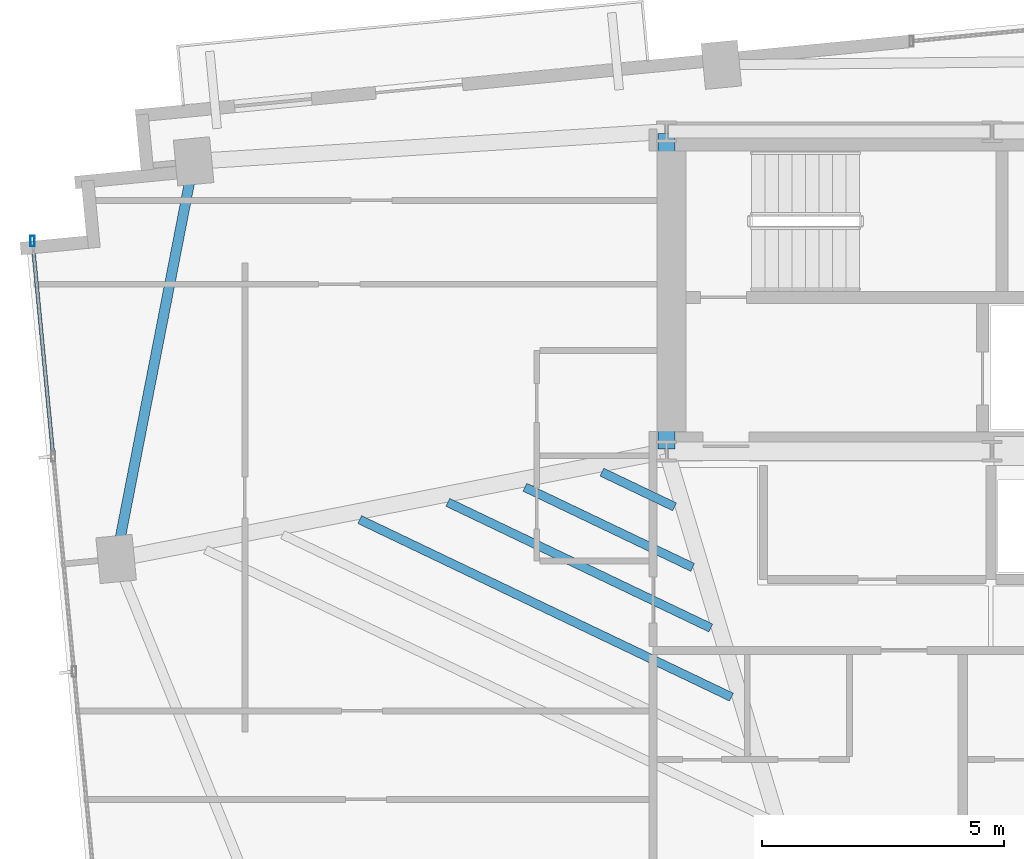
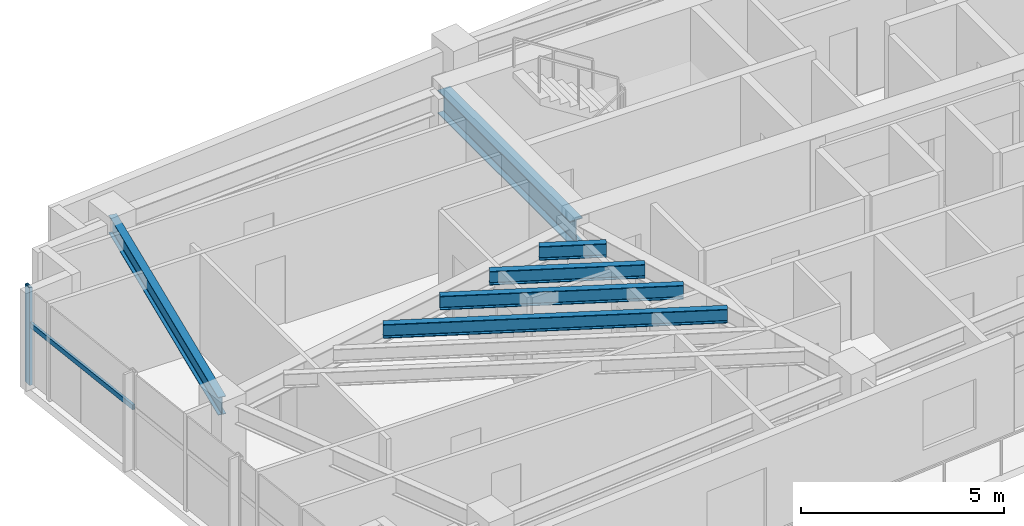
# One storey, part 3 of 18: 6 beams, 2 members, 1 element without a shape of its own.
"""IFC4 building model written with IfcOpenShell, lengths in metres."""

import ifcopenshell
import ifcopenshell.guid

model = None  # the IFC model being written
_history = None  # IfcOwnerHistory: only IFC2X3 demands one
_inside = {}  # id of a spatial element -> (the spatial element, [elements in it])
_under = {}  # id of a project, library or spatial element -> (it, [spatial elements below it])
_declared = {}  # id of a project -> (the project, [libraries it declares])
_typed = {}  # id of a type object -> (the type object, [elements of that type])
_made_of = {}  # id of a material, layer set ... -> (it, [elements and type objects made of it])


def new_model(schema):
    """Start an empty IFC model of exactly this schema.

    Asked for "IFC4X3", IfcOpenShell would pick the latest addendum, in which some entities
    have other attributes; the version numbers below select the first issue.
    IFC2X3 requires an IfcOwnerHistory on every rooted entity: one is made here for all.
    """
    global model, _history
    if schema == "IFC4X3":
        model = ifcopenshell.file(schema_version=(4, 3, 0, 0))
    else:
        model = ifcopenshell.file(schema=schema)
    _inside.clear()
    _under.clear()
    _declared.clear()
    _typed.clear()
    _made_of.clear()
    _history = None
    if model.schema == "IFC2X3":
        org = make("IfcOrganization", Name="unknown")
        user = make(
            "IfcPersonAndOrganization",
            ThePerson=make("IfcPerson", FamilyName="unknown"),
            TheOrganization=org,
        )
        app = make(
            "IfcApplication",
            ApplicationDeveloper=org,
            Version="unknown",
            ApplicationFullName="unknown",
            ApplicationIdentifier="unknown",
        )
        _history = make(
            "IfcOwnerHistory",
            OwningUser=user,
            OwningApplication=app,
            ChangeAction="ADDED",
            CreationDate=0,
        )
    return model


def make(cls, **values):
    """One entity of the class cls with the attributes given. An attribute that is None is left unset."""
    return model.create_entity(
        cls, **{name: value for name, value in values.items() if value is not None}
    )


def rooted(cls, **values):
    """An entity with a GlobalId (a new one), such as an element, a storey or a relation."""
    return make(cls, GlobalId=ifcopenshell.guid.new(), OwnerHistory=_history, **values)


def si_unit(unit_type, name, prefix=None):
    """IfcSIUnit, for example si_unit("LENGTHUNIT", "METRE", prefix="MILLI")."""
    return make("IfcSIUnit", UnitType=unit_type, Prefix=prefix, Name=name)


def assignment(units):
    """IfcUnitAssignment: the units of a project."""
    return None if units is None else make("IfcUnitAssignment", Units=units)


def point(xyz):
    """IfcCartesianPoint."""
    return None if xyz is None else make("IfcCartesianPoint", Coordinates=xyz)


def direction(xyz):
    """IfcDirection."""
    return None if xyz is None else make("IfcDirection", DirectionRatios=xyz)


def frame(location, z_axis=None, x_axis=None):
    """IfcAxis2Placement3D, a coordinate frame: its origin and axes. An axis left out is left unset."""
    return make(
        "IfcAxis2Placement3D",
        Location=point(location),
        Axis=direction(z_axis),
        RefDirection=direction(x_axis),
    )


def frame_2d(location, x_axis=None):
    """IfcAxis2Placement2D, a coordinate frame in the plane: its origin and x axis."""
    return make(
        "IfcAxis2Placement2D", Location=point(location), RefDirection=direction(x_axis)
    )


def origin():
    """The frame at (0, 0, 0) with its axes left unset."""
    return frame((0.0, 0.0, 0.0))


def origin_2d():
    """The frame at (0, 0) in the plane with its x axis left unset."""
    return frame_2d((0.0, 0.0))


def place(relative_to, where):
    """IfcLocalPlacement: puts the frame where relative to a parent placement (None: the world)."""
    return make(
        "IfcLocalPlacement", PlacementRelTo=relative_to, RelativePlacement=where
    )


def context(
    kind, dimensions, precision=None, world=None, true_north=None, identifier=None
):
    """IfcGeometricRepresentationContext, for example the 3D "Model" context."""
    return make(
        "IfcGeometricRepresentationContext",
        ContextIdentifier=identifier,
        ContextType=kind,
        CoordinateSpaceDimension=dimensions,
        Precision=precision,
        WorldCoordinateSystem=world,
        TrueNorth=true_north,
    )


def subcontext(parent, identifier, kind, view, scale=None):
    """IfcGeometricRepresentationSubContext, for example "Body" below "Model"."""
    return make(
        "IfcGeometricRepresentationSubContext",
        ContextIdentifier=identifier,
        ContextType=kind,
        ParentContext=parent,
        TargetScale=scale,
        TargetView=view,
    )


def project(units=None, contexts=None):
    """IfcProject with its units and contexts."""
    return rooted(
        "IfcProject",
        Name="project",
        RepresentationContexts=contexts,
        UnitsInContext=assignment(units),
    )


def spatial(cls, under=None, at=None, **own):
    """A site, building, storey or space (cls), placed at a placement, below another one or the project."""
    s = rooted(cls, ObjectPlacement=at, **own)
    if under is not None:
        _under.setdefault(under.id(), (under, []))[1].append(s)
    return s


def profile(cls, at=None, kind="AREA", **sizes):
    """A parametric profile (cls). Its sizes go by their IFC names, for example OverallWidth=200.0."""
    return make(cls, ProfileType=kind, Position=at, **sizes)


def hollow_rectangle(**sizes):
    """IfcRectangleHollowProfileDef."""
    return profile("IfcRectangleHollowProfileDef", **sizes)


def i_section(**sizes):
    """IfcIShapeProfileDef."""
    return profile("IfcIShapeProfileDef", **sizes)


def extrude(swept, where, along, depth):
    """IfcExtrudedAreaSolid: the profile swept, set in the frame where, extruded along a direction by depth."""
    return make(
        "IfcExtrudedAreaSolid",
        SweptArea=swept,
        Position=where,
        ExtrudedDirection=direction(along),
        Depth=depth,
    )


def shape(context_of_items, identifier, shape_type, items):
    """IfcShapeRepresentation: the items that make up one representation, for example the "Body"."""
    return make(
        "IfcShapeRepresentation",
        ContextOfItems=context_of_items,
        RepresentationIdentifier=identifier,
        RepresentationType=shape_type,
        Items=items,
    )


def source(mapping_origin, context_of_items, identifier, shape_type, items):
    """IfcRepresentationMap: a shape defined once, which mapped items show again and again."""
    return make(
        "IfcRepresentationMap",
        MappingOrigin=mapping_origin,
        MappedRepresentation=shape(context_of_items, identifier, shape_type, items),
    )


def transform(
    local_origin,
    x_axis=None,
    y_axis=None,
    z_axis=None,
    scale=None,
    scale2=None,
    scale3=None,
    uniform=True,
):
    """IfcCartesianTransformationOperator3D, or its non-uniform kind. x_axis, y_axis, z_axis: its Axis1, 2, 3."""
    if uniform:
        return make(
            "IfcCartesianTransformationOperator3D",
            Axis1=direction(x_axis),
            Axis2=direction(y_axis),
            LocalOrigin=point(local_origin),
            Scale=scale,
            Axis3=direction(z_axis),
        )
    return make(
        "IfcCartesianTransformationOperator3DnonUniform",
        Axis1=direction(x_axis),
        Axis2=direction(y_axis),
        LocalOrigin=point(local_origin),
        Scale=scale,
        Axis3=direction(z_axis),
        Scale2=scale2,
        Scale3=scale3,
    )


def mapped(mapping_source, mapping_target):
    """IfcMappedItem: shows the shape of a source again, moved by a transform."""
    return make(
        "IfcMappedItem", MappingSource=mapping_source, MappingTarget=mapping_target
    )


def material(Name=None, Category=None):
    """IfcMaterial."""
    return make("IfcMaterial", Name=Name, Category=Category)


def material_profile(
    of_material, cross_section, Name=None, Category=None, Priority=None
):
    """IfcMaterialProfile: a cross section and its material."""
    return make(
        "IfcMaterialProfile",
        Name=Name,
        Material=of_material,
        Profile=cross_section,
        Priority=Priority,
        Category=Category,
    )


def profile_set(profiles, Name=None, composite=None):
    """IfcMaterialProfileSet."""
    return make(
        "IfcMaterialProfileSet",
        Name=Name,
        MaterialProfiles=profiles,
        CompositeProfile=composite,
    )


def made_of(thing, what):
    """Note that an element or type object is made of a material, layer set ...; save() writes the relation."""
    if what is not None:
        _made_of.setdefault(what.id(), (what, []))[1].append(thing)
    return thing


def type_object(cls, material=None, **own):
    """A type object (cls), such as IfcWallType, which elements share."""
    return made_of(rooted(cls, **own), material)


def type_shapes(of_type, sources):
    """Give a type object the sources (RepresentationMaps) that its elements show as mapped items."""
    of_type.RepresentationMaps = sources


def element(
    cls,
    number,
    at=None,
    inside=None,
    cuts=None,
    type_object=None,
    material=None,
    context=None,
    identifier="Body",
    shape_type=None,
    held_by="IfcProductDefinitionShape",
    body=None,
    shapes=None,
    **own,
):
    """One element of the class cls, such as IfcWall. Its Tag is "e" and its number.

    at: its placement. inside: the storey or other place that contains it. cuts: it is an
    opening in that element (IfcRelVoidsElement). A single representation is given by context,
    identifier, shape_type and body (its items); several are given by shapes. held_by: the class
    of the entity that holds the representations. save() writes the other relations.
    """
    e = rooted(cls, Tag="e%d" % number, ObjectPlacement=at, **own)
    if body is not None:
        shapes = [shape(context, identifier, shape_type, body)]
    if shapes is not None:
        e.Representation = make(held_by, Representations=shapes)
    if inside is not None:
        _inside.setdefault(inside.id(), (inside, []))[1].append(e)
    if cuts is not None:
        rooted(
            "IfcRelVoidsElement", RelatingBuildingElement=cuts, RelatedOpeningElement=e
        )
    if type_object is not None:
        _typed.setdefault(type_object.id(), (type_object, []))[1].append(e)
    return made_of(e, material)


def aggregate(whole, parts):
    """IfcRelAggregates: a whole, such as a stair, and the parts it consists of."""
    return rooted("IfcRelAggregates", RelatingObject=whole, RelatedObjects=parts)


def save(model, path):
    """Write the relations noted so far, then the file.

    IfcRelAggregates (storeys below a building ...), IfcRelContainedInSpatialStructure (elements
    in a storey), IfcRelDefinesByType, IfcRelAssociatesMaterial and IfcRelDeclares: one each for
    every whole, place, type object, material and project.
    """
    for whole, parts in _under.values():
        aggregate(whole, parts)
    for where, things in _inside.values():
        rooted(
            "IfcRelContainedInSpatialStructure",
            RelatedElements=things,
            RelatingStructure=where,
        )
    for kind, things in _typed.values():
        rooted("IfcRelDefinesByType", RelatedObjects=things, RelatingType=kind)
    for what, things in _made_of.values():
        rooted("IfcRelAssociatesMaterial", RelatedObjects=things, RelatingMaterial=what)
    for by, libraries in _declared.values():
        rooted("IfcRelDeclares", RelatingContext=by, RelatedDefinitions=libraries)
    model.write(path)


model = new_model("IFC4")

# Units and contexts
model_context = context("Model", 3, precision=1e-05, world=origin(), true_north=direction((0.0, 1.0)))
body_context = subcontext(model_context, "Body", "Model", "MODEL_VIEW")
ifc_project = project(units=[si_unit("LENGTHUNIT", "METRE"), si_unit("AREAUNIT", "SQUARE_METRE"), si_unit("VOLUMEUNIT", "CUBIC_METRE"), si_unit("PLANEANGLEUNIT", "RADIAN"), si_unit("MASSUNIT", "GRAM", prefix="KILO")], contexts=[model_context])

# Site, building, storey
site_placement = place(None, origin())
site = spatial("IfcSite", under=ifc_project, at=site_placement, CompositionType="ELEMENT")
building_placement = place(site_placement, origin())
building = spatial("IfcBuilding", under=site, at=building_placement, Name="Astriad Promenade Condominiums", CompositionType="ELEMENT")
storey_placement = place(building_placement, frame((0.0, 0.0, 185.800048828125)))
storey = spatial("IfcBuildingStorey", under=building, at=storey_placement, Name="L53", CompositionType="ELEMENT", Elevation=185.800048828125)

# Beams
ifc_material_1 = material(Name="Steel ASTM A992 Grade 50", Category="steel")
ifc_material_profile_1 = material_profile(ifc_material_1, i_section(OverallWidth=0.35791015625, OverallDepth=0.706298828125, WebThickness=0.018310546875, FlangeThickness=0.0302734375, FilletRadius=0.020263671875, at=origin_2d()), Name="W27X178")
ifc_profile_set_1 = profile_set([ifc_material_profile_1], Name="Steel ASTM A992 Grade 50")
beam_type_1 = type_object("IfcBeamType", Name="STEEL FLOOR GIRDER W27X178", PredefinedType="BEAM", material=ifc_profile_set_1)
shared_shape_1 = source(origin(), body_context, "Body", "SweptSolid", [
    extrude(i_section(OverallWidth=0.35791015625, OverallDepth=0.706298828125, WebThickness=0.018310546875, FlangeThickness=0.0302734375, FilletRadius=0.020263671875, at=origin_2d()), origin(), (0.0, 0.0, 1.0), 6.52001953125),
])
type_shapes(beam_type_1, [shared_shape_1])
beam_1_placement = place(storey_placement, frame((26.39990234375, 17.43994140625, 2.586669921875), z_axis=(0.0, 1.0, 0.0), x_axis=(-1.0, 0.0, 0.0)))
element("IfcBeam", 1, at=beam_1_placement, inside=storey, type_object=beam_type_1, Name="Core Ring Beam CG-W1-L53", PredefinedType="BEAM", context=body_context, shape_type="MappedRepresentation", body=[
    mapped(shared_shape_1, transform((0.0, 0.0, 0.0), scale=1.0)),
])
ifc_material_profile_2 = material_profile(ifc_material_1, i_section(OverallWidth=0.210693359375, OverallDepth=0.53955078125, WebThickness=0.01171875, FlangeThickness=0.018798828125, FilletRadius=0.0166015625, at=origin_2d()), Name="W21X73")
ifc_profile_set_2 = profile_set([ifc_material_profile_2], Name="Steel ASTM A992 Grade 50")
beam_type_2 = type_object("IfcBeamType", Name="STEEL SPANDREL BEAM W21X73", PredefinedType="SPANDREL", material=ifc_profile_set_2)
shared_shape_2 = source(origin(), body_context, "Body", "SweptSolid", [
    extrude(i_section(OverallWidth=0.210693359375, OverallDepth=0.53955078125, WebThickness=0.01171875, FlangeThickness=0.018798828125, FilletRadius=0.0166015625, at=origin_2d()), origin(), (0.0, 0.0, 1.0), 8.28564453125),
])
type_shapes(beam_type_2, [shared_shape_2])
beam_2_placement = place(storey_placement, frame((16.62451171875, 23.3447265625, 2.670166015625), z_axis=(-0.191291582099, -0.981533254973, 0.0), x_axis=(0.981533254973, -0.191291582099, 0.0)))
element("IfcBeam", 2, at=beam_2_placement, inside=storey, type_object=beam_type_2, Name="Perimeter Spandrel Beam SP-W2-L53", PredefinedType="SPANDREL", context=body_context, shape_type="MappedRepresentation", body=[
    mapped(shared_shape_2, transform((0.0, 0.0, 0.0), scale=1.0)),
])
ifc_material_profile_3 = material_profile(ifc_material_1, i_section(OverallWidth=0.180908203125, OverallDepth=0.417236328125, WebThickness=0.010986328125, FlangeThickness=0.018310546875, FilletRadius=0.013916015625, at=origin_2d()), Name="W16X57")
ifc_profile_set_3 = profile_set([ifc_material_profile_3], Name="Steel ASTM A992 Grade 50")
beam_type_3 = type_object("IfcBeamType", Name="STEEL FLOOR JOIST W16X57", PredefinedType="JOIST", material=ifc_profile_set_3)
shared_shape_3 = source(origin(), body_context, "Body", "SweptSolid", [
    extrude(i_section(OverallWidth=0.180908203125, OverallDepth=0.417236328125, WebThickness=0.010986328125, FlangeThickness=0.018310546875, FilletRadius=0.013916015625, at=origin_2d()), origin(), (0.0, 0.0, 1.0), 8.508056640625),
])
beam_3_placement = place(storey_placement, frame((20.06298828125, 15.985595703125, 2.7314453125), z_axis=(0.902339530667, -0.431025952113, 0.0), x_axis=(0.431025952113, 0.902339530667, 0.0)))
element("IfcBeam", 3, at=beam_3_placement, inside=storey, type_object=beam_type_3, Name="Secondary Composite Floor Joist JW1-3-L53", PredefinedType="JOIST", context=body_context, shape_type="MappedRepresentation", body=[
    mapped(shared_shape_3, transform((0.0, 0.0, 0.0), scale=1.0)),
])
shared_shape_4 = source(origin(), body_context, "Body", "SweptSolid", [
    extrude(i_section(OverallWidth=0.180908203125, OverallDepth=0.417236328125, WebThickness=0.010986328125, FlangeThickness=0.018310546875, FilletRadius=0.013916015625, at=origin_2d()), origin(), (0.0, 0.0, 1.0), 6.01904296875),
])
beam_4_placement = place(storey_placement, frame((21.882080078125, 16.342041015625, 2.7314453125), z_axis=(0.902329759838, -0.431046406446, 0.0), x_axis=(0.431046406446, 0.902329759838, 0.0)))
element("IfcBeam", 4, at=beam_4_placement, inside=storey, type_object=beam_type_3, Name="Secondary Composite Floor Joist JW1-4-L53", PredefinedType="JOIST", context=body_context, shape_type="MappedRepresentation", body=[
    mapped(shared_shape_4, transform((0.0, 0.0, 0.0), scale=1.0)),
])
shared_shape_5 = source(origin(), body_context, "Body", "SweptSolid", [
    extrude(i_section(OverallWidth=0.180908203125, OverallDepth=0.417236328125, WebThickness=0.010986328125, FlangeThickness=0.018310546875, FilletRadius=0.013916015625, at=origin_2d()), origin(), (0.0, 0.0, 1.0), 3.84130859375),
])
beam_5_placement = place(storey_placement, frame((23.473388671875, 16.65380859375, 2.7314453125), z_axis=(0.902328811953, -0.431048390693, 0.0), x_axis=(0.431048390693, 0.902328811953, 0.0)))
element("IfcBeam", 5, at=beam_5_placement, inside=storey, type_object=beam_type_3, Name="Secondary Composite Floor Joist JW1-5-L53", PredefinedType="JOIST", context=body_context, shape_type="MappedRepresentation", body=[
    mapped(shared_shape_5, transform((0.0, 0.0, 0.0), scale=1.0)),
])
shared_shape_6 = source(origin(), body_context, "Body", "SweptSolid", [
    extrude(i_section(OverallWidth=0.180908203125, OverallDepth=0.417236328125, WebThickness=0.010986328125, FlangeThickness=0.018310546875, FilletRadius=0.013916015625, at=origin_2d()), origin(), (0.0, 0.0, 1.0), 1.6630859375),
])
type_shapes(beam_type_3, [shared_shape_3, shared_shape_4, shared_shape_5, shared_shape_6])
beam_6_placement = place(storey_placement, frame((25.065185546875, 16.965576171875, 2.7314453125), z_axis=(0.902355200591, -0.430993146077, 0.0), x_axis=(0.430993146077, 0.902355200591, 0.0)))
element("IfcBeam", 6, at=beam_6_placement, inside=storey, type_object=beam_type_3, Name="Secondary Composite Floor Joist JW1-6-L53", PredefinedType="JOIST", context=body_context, shape_type="MappedRepresentation", body=[
    mapped(shared_shape_6, transform((0.0, 0.0, 0.0), scale=1.0)),
])

# Curtain wall, members
ifc_material_2 = material(Name="Anodised aluminium Black Dark Glass Unitised", Category="aluminium")
curtain_wall_type = type_object("IfcCurtainWallType", Name="CW-B34-DARK", PredefinedType="USERDEFINED", material=ifc_material_2)
curtain_wall_placement = place(storey_placement, origin())
curtain_wall = element("IfcCurtainWall", 7, at=curtain_wall_placement, inside=storey, type_object=curtain_wall_type, Name="CW-L53-W", ObjectType="UNITISED_CURTAIN_WALL", PredefinedType="USERDEFINED")
ifc_material_3 = material(Name="Anodised aluminium 6063-T6 Black", Category="aluminium")
ifc_material_profile_4 = material_profile(ifc_material_3, hollow_rectangle(XDim=0.0849609375, YDim=0.219970703125, WallThickness=0.0048828125, at=origin_2d()), Name="ALU-MUL-85X220")
ifc_profile_set_4 = profile_set([ifc_material_profile_4], Name="Anodised aluminium 6063-T6 Black")
member_type_1 = type_object("IfcMemberType", Name="MUL-ALU-MUL-85X220", PredefinedType="MULLION", material=ifc_profile_set_4)
shared_shape_7 = source(origin(), body_context, "Body", "SweptSolid", [
    extrude(hollow_rectangle(XDim=0.0849609375, YDim=0.219970703125, WallThickness=0.0048828125, at=origin_2d()), origin(), (0.0, 0.0, 1.0), 2.93994140625),
])
type_shapes(member_type_1, [shared_shape_7])
member_1_placement = place(storey_placement, frame((13.3046875, 21.737548828125, 0.0), z_axis=(0.0, 0.0, 1.0), x_axis=(1.0, 0.0, 0.0)))
member_1 = element("IfcMember", 8, at=member_1_placement, type_object=member_type_1, Name="CW-L53-W-MUL-03", PredefinedType="MULLION", context=body_context, shape_type="MappedRepresentation", body=[
    mapped(shared_shape_7, transform((0.0, 0.0, 0.0), scale=1.0)),
])
ifc_material_profile_5 = material_profile(ifc_material_3, hollow_rectangle(XDim=0.074951171875, YDim=0.14990234375, WallThickness=0.004150390625, at=origin_2d()), Name="ALU-TRN-75X150")
ifc_profile_set_5 = profile_set([ifc_material_profile_5], Name="Anodised aluminium 6063-T6 Black")
member_type_2 = type_object("IfcMemberType", Name="TRN-ALU-TRN-75X150", PredefinedType="USERDEFINED", material=ifc_profile_set_5)
shared_shape_8 = source(origin(), body_context, "Body", "SweptSolid", [
    extrude(hollow_rectangle(XDim=0.074951171875, YDim=0.14990234375, WallThickness=0.004150390625, at=origin_2d()), origin(), (0.0, 0.0, 1.0), 4.466552734375),
])
type_shapes(member_type_2, [shared_shape_8])
member_2_placement = place(storey_placement, frame((13.732666015625, 17.29150390625, 1.82275390625), z_axis=(-0.095817598554, 0.995398908884, 0.0), x_axis=(-0.995398908884, -0.095817598554, 0.0)))
member_2 = element("IfcMember", 9, at=member_2_placement, type_object=member_type_2, Name="CW-L53-W-TRN-02-0", ObjectType="TRANSOM", PredefinedType="USERDEFINED", context=body_context, shape_type="MappedRepresentation", body=[
    mapped(shared_shape_8, transform((0.0, 0.0, 0.0), scale=1.0)),
])
aggregate(curtain_wall, [member_1, member_2])

save(model, "model.ifc")
